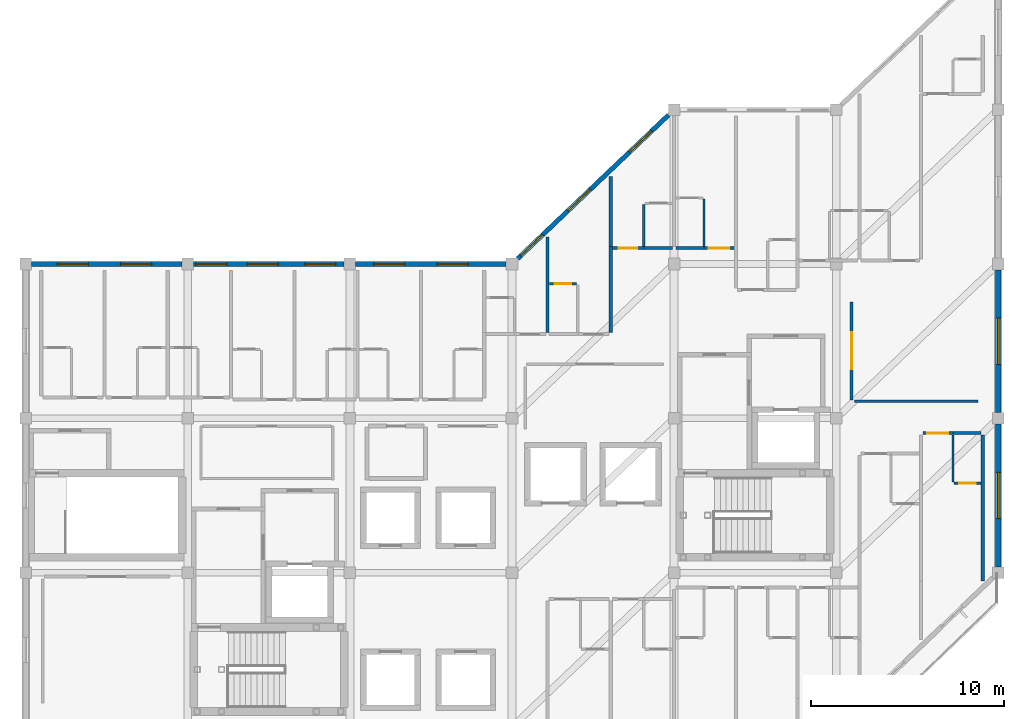
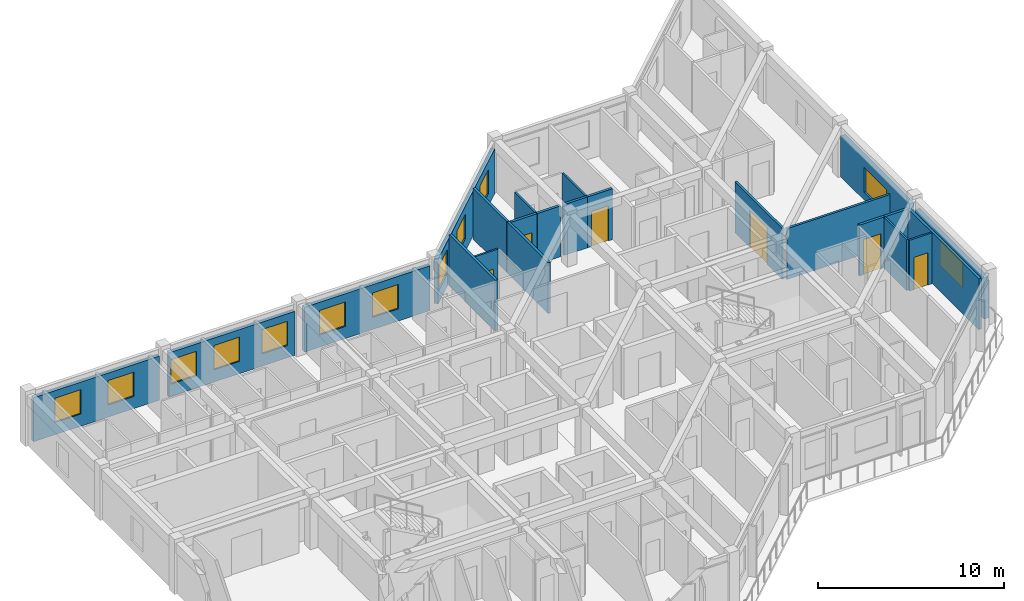
# One storey, part 10 of 14: 23 walls, 12 windows, 6 doors, 18 openings.
"""IFC4 building model written with IfcOpenShell, lengths in metres."""

import ifcopenshell
import ifcopenshell.guid

model = None  # the IFC model being written
_history = None  # IfcOwnerHistory: only IFC2X3 demands one
_inside = {}  # id of a spatial element -> (the spatial element, [elements in it])
_under = {}  # id of a project, library or spatial element -> (it, [spatial elements below it])
_declared = {}  # id of a project -> (the project, [libraries it declares])
_typed = {}  # id of a type object -> (the type object, [elements of that type])
_made_of = {}  # id of a material, layer set ... -> (it, [elements and type objects made of it])


def new_model(schema):
    """Start an empty IFC model of exactly this schema.

    Asked for "IFC4X3", IfcOpenShell would pick the latest addendum, in which some entities
    have other attributes; the version numbers below select the first issue.
    IFC2X3 requires an IfcOwnerHistory on every rooted entity: one is made here for all.
    """
    global model, _history
    if schema == "IFC4X3":
        model = ifcopenshell.file(schema_version=(4, 3, 0, 0))
    else:
        model = ifcopenshell.file(schema=schema)
    _inside.clear()
    _under.clear()
    _declared.clear()
    _typed.clear()
    _made_of.clear()
    _history = None
    if model.schema == "IFC2X3":
        org = make("IfcOrganization", Name="unknown")
        user = make(
            "IfcPersonAndOrganization",
            ThePerson=make("IfcPerson", FamilyName="unknown"),
            TheOrganization=org,
        )
        app = make(
            "IfcApplication",
            ApplicationDeveloper=org,
            Version="unknown",
            ApplicationFullName="unknown",
            ApplicationIdentifier="unknown",
        )
        _history = make(
            "IfcOwnerHistory",
            OwningUser=user,
            OwningApplication=app,
            ChangeAction="ADDED",
            CreationDate=0,
        )
    return model


def make(cls, **values):
    """One entity of the class cls with the attributes given. An attribute that is None is left unset."""
    return model.create_entity(
        cls, **{name: value for name, value in values.items() if value is not None}
    )


def rooted(cls, **values):
    """An entity with a GlobalId (a new one), such as an element, a storey or a relation."""
    return make(cls, GlobalId=ifcopenshell.guid.new(), OwnerHistory=_history, **values)


def si_unit(unit_type, name, prefix=None):
    """IfcSIUnit, for example si_unit("LENGTHUNIT", "METRE", prefix="MILLI")."""
    return make("IfcSIUnit", UnitType=unit_type, Prefix=prefix, Name=name)


def assignment(units):
    """IfcUnitAssignment: the units of a project."""
    return None if units is None else make("IfcUnitAssignment", Units=units)


def point(xyz):
    """IfcCartesianPoint."""
    return None if xyz is None else make("IfcCartesianPoint", Coordinates=xyz)


def direction(xyz):
    """IfcDirection."""
    return None if xyz is None else make("IfcDirection", DirectionRatios=xyz)


def frame(location, z_axis=None, x_axis=None):
    """IfcAxis2Placement3D, a coordinate frame: its origin and axes. An axis left out is left unset."""
    return make(
        "IfcAxis2Placement3D",
        Location=point(location),
        Axis=direction(z_axis),
        RefDirection=direction(x_axis),
    )


def frame_2d(location, x_axis=None):
    """IfcAxis2Placement2D, a coordinate frame in the plane: its origin and x axis."""
    return make(
        "IfcAxis2Placement2D", Location=point(location), RefDirection=direction(x_axis)
    )


def origin():
    """The frame at (0, 0, 0) with its axes left unset."""
    return frame((0.0, 0.0, 0.0))


def place(relative_to, where):
    """IfcLocalPlacement: puts the frame where relative to a parent placement (None: the world)."""
    return make(
        "IfcLocalPlacement", PlacementRelTo=relative_to, RelativePlacement=where
    )


def context(
    kind, dimensions, precision=None, world=None, true_north=None, identifier=None
):
    """IfcGeometricRepresentationContext, for example the 3D "Model" context."""
    return make(
        "IfcGeometricRepresentationContext",
        ContextIdentifier=identifier,
        ContextType=kind,
        CoordinateSpaceDimension=dimensions,
        Precision=precision,
        WorldCoordinateSystem=world,
        TrueNorth=true_north,
    )


def subcontext(parent, identifier, kind, view, scale=None):
    """IfcGeometricRepresentationSubContext, for example "Body" below "Model"."""
    return make(
        "IfcGeometricRepresentationSubContext",
        ContextIdentifier=identifier,
        ContextType=kind,
        ParentContext=parent,
        TargetScale=scale,
        TargetView=view,
    )


def project(units=None, contexts=None):
    """IfcProject with its units and contexts."""
    return rooted(
        "IfcProject",
        Name="project",
        RepresentationContexts=contexts,
        UnitsInContext=assignment(units),
    )


def spatial(cls, under=None, at=None, **own):
    """A site, building, storey or space (cls), placed at a placement, below another one or the project."""
    s = rooted(cls, ObjectPlacement=at, **own)
    if under is not None:
        _under.setdefault(under.id(), (under, []))[1].append(s)
    return s


def profile(cls, at=None, kind="AREA", **sizes):
    """A parametric profile (cls). Its sizes go by their IFC names, for example OverallWidth=200.0."""
    return make(cls, ProfileType=kind, Position=at, **sizes)


def rectangle(**sizes):
    """IfcRectangleProfileDef."""
    return profile("IfcRectangleProfileDef", **sizes)


def extrude(swept, where, along, depth):
    """IfcExtrudedAreaSolid: the profile swept, set in the frame where, extruded along a direction by depth."""
    return make(
        "IfcExtrudedAreaSolid",
        SweptArea=swept,
        Position=where,
        ExtrudedDirection=direction(along),
        Depth=depth,
    )


def shape(context_of_items, identifier, shape_type, items):
    """IfcShapeRepresentation: the items that make up one representation, for example the "Body"."""
    return make(
        "IfcShapeRepresentation",
        ContextOfItems=context_of_items,
        RepresentationIdentifier=identifier,
        RepresentationType=shape_type,
        Items=items,
    )


def material(Name=None, Category=None):
    """IfcMaterial."""
    return make("IfcMaterial", Name=Name, Category=Category)


def layer(
    of_material, thickness, ventilated=None, Name=None, Category=None, Priority=None
):
    """IfcMaterialLayer: one layer of a wall or slab, of a material (None: an air gap)."""
    return make(
        "IfcMaterialLayer",
        Material=of_material,
        LayerThickness=thickness,
        IsVentilated=ventilated,
        Name=Name,
        Category=Category,
        Priority=Priority,
    )


def layer_set(layers, Name=None):
    """IfcMaterialLayerSet."""
    return make("IfcMaterialLayerSet", MaterialLayers=layers, LayerSetName=Name)


def made_of(thing, what):
    """Note that an element or type object is made of a material, layer set ...; save() writes the relation."""
    if what is not None:
        _made_of.setdefault(what.id(), (what, []))[1].append(thing)
    return thing


def type_object(cls, material=None, **own):
    """A type object (cls), such as IfcWallType, which elements share."""
    return made_of(rooted(cls, **own), material)


def element(
    cls,
    number,
    at=None,
    inside=None,
    cuts=None,
    type_object=None,
    material=None,
    context=None,
    identifier="Body",
    shape_type=None,
    held_by="IfcProductDefinitionShape",
    body=None,
    shapes=None,
    **own,
):
    """One element of the class cls, such as IfcWall. Its Tag is "e" and its number.

    at: its placement. inside: the storey or other place that contains it. cuts: it is an
    opening in that element (IfcRelVoidsElement). A single representation is given by context,
    identifier, shape_type and body (its items); several are given by shapes. held_by: the class
    of the entity that holds the representations. save() writes the other relations.
    """
    e = rooted(cls, Tag="e%d" % number, ObjectPlacement=at, **own)
    if body is not None:
        shapes = [shape(context, identifier, shape_type, body)]
    if shapes is not None:
        e.Representation = make(held_by, Representations=shapes)
    if inside is not None:
        _inside.setdefault(inside.id(), (inside, []))[1].append(e)
    if cuts is not None:
        rooted(
            "IfcRelVoidsElement", RelatingBuildingElement=cuts, RelatedOpeningElement=e
        )
    if type_object is not None:
        _typed.setdefault(type_object.id(), (type_object, []))[1].append(e)
    return made_of(e, material)


def fill(opening, filler):
    """IfcRelFillsElement: the door or window that sits in an opening."""
    return rooted(
        "IfcRelFillsElement",
        RelatingOpeningElement=opening,
        RelatedBuildingElement=filler,
    )


def aggregate(whole, parts):
    """IfcRelAggregates: a whole, such as a stair, and the parts it consists of."""
    return rooted("IfcRelAggregates", RelatingObject=whole, RelatedObjects=parts)


def save(model, path):
    """Write the relations noted so far, then the file.

    IfcRelAggregates (storeys below a building ...), IfcRelContainedInSpatialStructure (elements
    in a storey), IfcRelDefinesByType, IfcRelAssociatesMaterial and IfcRelDeclares: one each for
    every whole, place, type object, material and project.
    """
    for whole, parts in _under.values():
        aggregate(whole, parts)
    for where, things in _inside.values():
        rooted(
            "IfcRelContainedInSpatialStructure",
            RelatedElements=things,
            RelatingStructure=where,
        )
    for kind, things in _typed.values():
        rooted("IfcRelDefinesByType", RelatedObjects=things, RelatingType=kind)
    for what, things in _made_of.values():
        rooted("IfcRelAssociatesMaterial", RelatedObjects=things, RelatingMaterial=what)
    for by, libraries in _declared.values():
        rooted("IfcRelDeclares", RelatingContext=by, RelatedDefinitions=libraries)
    model.write(path)


model = new_model("IFC4")

# Units and contexts
model_context = context("Model", 3, precision=1e-05, world=origin(), true_north=direction((0.0, 1.0)))
body_context = subcontext(model_context, "Body", "Model", "MODEL_VIEW")
ifc_project = project(units=[si_unit("LENGTHUNIT", "METRE"), si_unit("AREAUNIT", "SQUARE_METRE"), si_unit("VOLUMEUNIT", "CUBIC_METRE"), si_unit("PLANEANGLEUNIT", "RADIAN"), si_unit("MASSUNIT", "GRAM", prefix="KILO")], contexts=[model_context])

# Site, building, storey
site_placement = place(None, origin())
site = spatial("IfcSite", under=ifc_project, at=site_placement, CompositionType="ELEMENT")
building_placement = place(site_placement, origin())
building = spatial("IfcBuilding", under=site, at=building_placement, Name="Naruveol Harbour Congress Hotel", CompositionType="ELEMENT")
storey_placement = place(building_placement, frame((0.0, 0.0, 39.60009765625)))
storey = spatial("IfcBuildingStorey", under=building, at=storey_placement, Name="L09", CompositionType="ELEMENT", Elevation=39.60009765625)

# Wall, opening, door
ifc_material_1 = material(Name="Acoustic Double Stud Gypsum", Category="gypsum")
ifc_layer_1 = layer(ifc_material_1, 0.139892578125)
ifc_layer_set_1 = layer_set([ifc_layer_1], Name="Acoustic Double Stud Gypsum")
wall_type_1 = type_object("IfcWallType", Name="ACOUSTIC MEETING PARTITION WALL 140", PredefinedType="PARTITIONING", material=ifc_layer_set_1)
wall_1_placement = place(storey_placement, frame((160.39990234375, 24.9599609375, 0.0), z_axis=(0.0, 0.0, 1.0), x_axis=(0.0, 1.0, 0.0)))
wall_1 = element("IfcWall", 1, at=wall_1_placement, inside=storey, type_object=wall_type_1, Name="Garden Terrace Salon west entry wall PW-140", PredefinedType="PARTITIONING", context=body_context, shape_type="SweptSolid", body=[
    extrude(rectangle(XDim=5.080078125, YDim=0.139892578125, at=frame_2d((2.5400390625, 0.0))), origin(), (0.0, 0.0, 1.0), 3.3349609375),
])
opening_1_placement = place(wall_1_placement, frame((1.590087890625, 0.0, 0.0)))
opening_1 = element("IfcOpeningElement", 2, at=opening_1_placement, cuts=wall_1, Name="Opening ID-LG-129", PredefinedType="OPENING", context=body_context, shape_type="SweptSolid", body=[
    extrude(rectangle(XDim=1.89990234375, YDim=2.39990234375, at=frame_2d((0.949951171875, 1.199951171875))), frame((0.0, 0.079833984375, 0.0), z_axis=(0.0, -1.0, 0.0), x_axis=(1.0, 0.0, 0.0)), (0.0, 0.0, 1.0), 0.159912109375),
])
ifc_material_2 = material(Name="Timber & Steel Acoustic Leaf", Category="steel")
door_type_1 = type_object("IfcDoorType", Name="RESTAURANT AND LOUNGE GLAZED DOOR 1900X2400", OperationType="DOUBLE_DOOR_SINGLE_SWING", PredefinedType="DOOR", material=ifc_material_2)
door_1_placement = place(opening_1_placement, origin())
door_1 = element("IfcDoor", 3, at=door_1_placement, inside=storey, type_object=door_type_1, Name="Garden Terrace Salon Entrance Door", OperationType="DOUBLE_DOOR_SINGLE_SWING", OverallHeight=2.39990234375, OverallWidth=1.89990234375, PredefinedType="DOOR", context=body_context, shape_type="SweptSolid", body=[
    extrude(rectangle(XDim=1.89990234375, YDim=2.39990234375, at=frame_2d((0.949951171875, 1.199951171875))), frame((0.0, 0.02490234375, 0.0), z_axis=(0.0, -1.0, 0.0), x_axis=(1.0, 0.0, 0.0)), (0.0, 0.0, 1.0), 0.050048828125),
])
fill(opening_1, door_1)

# Wall
wall_2_placement = place(storey_placement, frame((160.5400390625, 24.8798828125, 0.0), z_axis=(0.0, 0.0, 1.0), x_axis=(1.0, 0.0, 0.0)))
element("IfcWall", 4, at=wall_2_placement, inside=storey, type_object=wall_type_1, Name="Garden Terrace Salon south partition PW-140", PredefinedType="PARTITIONING", context=body_context, shape_type="SweptSolid", body=[
    extrude(rectangle(XDim=6.409912109375, YDim=0.139892578125, at=frame_2d((3.205078125, 0.0))), origin(), (0.0, 0.0, 1.0), 3.3349609375),
])

# Wall, opening, window
ifc_material_3 = material(Name="Precast concrete C40/50", Category="concrete")
ifc_layer_2 = layer(ifc_material_3, 0.280029296875)
ifc_layer_set_2 = layer_set([ifc_layer_2], Name="Precast concrete C40/50")
wall_type_2 = type_object("IfcWallType", Name="ARCHITECTURAL PRECAST FACADE WALL 280", PredefinedType="SOLIDWALL", material=ifc_layer_set_2)
wall_3_placement = place(storey_placement, frame((168.0, 31.699951171875, 0.0), z_axis=(0.0, 0.0, 1.0), x_axis=(0.0, -1.0, 0.0)))
wall_3 = element("IfcWall", 5, at=wall_3_placement, inside=storey, type_object=wall_type_2, Name="Hotel east gable wall L09 EW-280", PredefinedType="SOLIDWALL", context=body_context, shape_type="SweptSolid", body=[
    extrude(rectangle(XDim=7.39990234375, YDim=0.280029296875, at=frame_2d((3.699951171875, 0.0))), origin(), (0.0, 0.0, 1.0), 2.699951171875),
])
opening_2_placement = place(wall_3_placement, frame((2.5, 0.0, 0.5)))
opening_2 = element("IfcOpeningElement", 6, at=opening_2_placement, cuts=wall_3, Name="Opening W-07", PredefinedType="OPENING", context=body_context, shape_type="SweptSolid", body=[
    extrude(rectangle(XDim=2.39990234375, YDim=1.64990234375, at=frame_2d((1.199951171875, 0.824951171875))), frame((0.0, 0.14990234375, 0.0), z_axis=(0.0, -1.0, 0.0), x_axis=(1.0, 0.0, 0.0)), (0.0, 0.0, 1.0), 0.300048828125),
])
ifc_material_4 = material(Name="Low-E Triple Glazing in Thermal Aluminium", Category="aluminium")
window_type_1 = type_object("IfcWindowType", Name="CORNER SUITE WINDOW 2400X1650", PartitioningType="DOUBLE_PANEL_VERTICAL", PredefinedType="WINDOW", material=ifc_material_4)
window_1_placement = place(opening_2_placement, origin())
window_1 = element("IfcWindow", 7, at=window_1_placement, inside=storey, type_object=window_type_1, Name="Window W-07 #473", OverallHeight=1.64990234375, OverallWidth=2.39990234375, PartitioningType="DOUBLE_PANEL_VERTICAL", PredefinedType="WINDOW", context=body_context, shape_type="SweptSolid", body=[
    extrude(rectangle(XDim=2.39990234375, YDim=1.64990234375, at=frame_2d((1.199951171875, 0.824951171875))), frame((0.0, 0.030029296875, 0.0), z_axis=(0.0, -1.0, 0.0), x_axis=(1.0, 0.0, 0.0)), (0.0, 0.0, 1.0), 0.06005859375),
])
fill(opening_2, window_1)

wall_4_placement = place(storey_placement, frame((168.0, 23.699951171875, 0.0), z_axis=(0.0, 0.0, 1.0), x_axis=(0.0, -1.0, 0.0)))
wall_4 = element("IfcWall", 8, at=wall_4_placement, inside=storey, type_object=wall_type_2, Name="Hotel east gable wall L09 EW-280", PredefinedType="SOLIDWALL", context=body_context, shape_type="SweptSolid", body=[
    extrude(rectangle(XDim=7.39990234375, YDim=0.280029296875, at=frame_2d((3.699951171875, 0.0))), origin(), (0.0, 0.0, 1.0), 2.699951171875),
])
opening_3_placement = place(wall_4_placement, frame((2.5, 0.0, 0.5)))
opening_3 = element("IfcOpeningElement", 9, at=opening_3_placement, cuts=wall_4, Name="Opening W-07", PredefinedType="OPENING", context=body_context, shape_type="SweptSolid", body=[
    extrude(rectangle(XDim=2.39990234375, YDim=1.64990234375, at=frame_2d((1.199951171875, 0.824951171875))), frame((0.0, 0.14990234375, 0.0), z_axis=(0.0, -1.0, 0.0), x_axis=(1.0, 0.0, 0.0)), (0.0, 0.0, 1.0), 0.300048828125),
])
window_2_placement = place(opening_3_placement, origin())
window_2 = element("IfcWindow", 10, at=window_2_placement, inside=storey, type_object=window_type_1, Name="Window W-07 #474", OverallHeight=1.64990234375, OverallWidth=2.39990234375, PartitioningType="DOUBLE_PANEL_VERTICAL", PredefinedType="WINDOW", context=body_context, shape_type="SweptSolid", body=[
    extrude(rectangle(XDim=2.39990234375, YDim=1.64990234375, at=frame_2d((1.199951171875, 0.824951171875))), frame((0.0, 0.030029296875, 0.0), z_axis=(0.0, -1.0, 0.0), x_axis=(1.0, 0.0, 0.0)), (0.0, 0.0, 1.0), 0.06005859375),
])
fill(opening_3, window_2)

# Wall, opening, door
ifc_material_5 = material(Name="Moisture-Resistant Gypsum Partition", Category="gypsum")
ifc_layer_3 = layer(ifc_material_5, 0.114990234375)
ifc_layer_set_3 = layer_set([ifc_layer_3], Name="Moisture-Resistant Gypsum Partition")
wall_type_3 = type_object("IfcWallType", Name="BATHROOM MOISTURE PARTITION WALL 115", PredefinedType="PARTITIONING", material=ifc_layer_set_3)
wall_5_placement = place(storey_placement, frame((144.739990234375, 30.969970703125, 0.0), z_axis=(0.0, 0.0, 1.0), x_axis=(1.0, 0.0, 0.0)))
wall_5 = element("IfcWall", 11, at=wall_5_placement, inside=storey, type_object=wall_type_3, Name="Bathroom north wall 1074 PW-115", PredefinedType="PARTITIONING", context=body_context, shape_type="SweptSolid", body=[
    extrude(rectangle(XDim=1.409912109375, YDim=0.114990234375, at=frame_2d((0.705078125, 0.0))), origin(), (0.0, 0.0, 1.0), 3.3349609375),
])
opening_4_placement = place(wall_5_placement, frame((0.27490234375, 0.0, 0.0)))
opening_4 = element("IfcOpeningElement", 12, at=opening_4_placement, cuts=wall_5, Name="Opening BD-RM1074", PredefinedType="OPENING", context=body_context, shape_type="SweptSolid", body=[
    extrude(rectangle(XDim=0.860107421875, YDim=2.1201171875, at=frame_2d((0.43017578125, 1.06005859375))), frame((0.0, 0.0673828125, 0.0), z_axis=(0.0, -1.0, 0.0), x_axis=(1.0, 0.0, 0.0)), (0.0, 0.0, 1.0), 0.135009765625),
])
ifc_material_6 = material(Name="Timber & Steel Acoustic Leaf", Category="steel")
door_type_2 = type_object("IfcDoorType", Name="GUEST BATHROOM DOOR 860X2120", OperationType="NOTDEFINED", PredefinedType="DOOR", material=ifc_material_6)
door_2_placement = place(opening_4_placement, origin())
door_2 = element("IfcDoor", 13, at=door_2_placement, inside=storey, type_object=door_type_2, Name="Bathroom Door 1074", OperationType="SINGLE_SWING_RIGHT", OverallHeight=2.1201171875, OverallWidth=0.860107421875, PredefinedType="DOOR", context=body_context, shape_type="SweptSolid", body=[
    extrude(rectangle(XDim=0.860107421875, YDim=2.1201171875, at=frame_2d((0.43017578125, 1.06005859375))), frame((0.0, 0.02490234375, 0.0), z_axis=(0.0, -1.0, 0.0), x_axis=(1.0, 0.0, 0.0)), (0.0, 0.0, 1.0), 0.050048828125),
])
fill(opening_4, door_2)

# Walls
wall_6_placement = place(storey_placement, frame((149.6298828125, 32.909912109375, 0.0), z_axis=(0.0, 0.0, 1.0), x_axis=(0.0, 1.0, 0.0)))
element("IfcWall", 14, at=wall_6_placement, inside=storey, type_object=wall_type_3, Name="Bathroom west wall 1075 PW-115", PredefinedType="PARTITIONING", context=body_context, shape_type="SweptSolid", body=[
    extrude(rectangle(XDim=2.170166015625, YDim=0.114990234375, at=frame_2d((1.0849609375, 0.0))), origin(), (0.0, 0.0, 1.0), 3.3349609375),
])
wall_7_placement = place(storey_placement, frame((152.75, 32.909912109375, 0.0), z_axis=(0.0, 0.0, 1.0), x_axis=(0.0, 1.0, 0.0)))
element("IfcWall", 15, at=wall_7_placement, inside=storey, type_object=wall_type_3, Name="Bathroom east wall 1076 PW-115", PredefinedType="PARTITIONING", context=body_context, shape_type="SweptSolid", body=[
    extrude(rectangle(XDim=2.4501953125, YDim=0.114990234375, at=frame_2d((1.22509765625, 0.0))), origin(), (0.0, 0.0, 1.0), 3.3349609375),
])
wall_8_placement = place(storey_placement, frame((165.64990234375, 20.68994140625, 0.0), z_axis=(0.0, 0.0, 1.0), x_axis=(0.0, 1.0, 0.0)))
element("IfcWall", 16, at=wall_8_placement, inside=storey, type_object=wall_type_3, Name="Bathroom west wall 1065 PW-115", PredefinedType="PARTITIONING", context=body_context, shape_type="SweptSolid", body=[
    extrude(rectangle(XDim=2.449951171875, YDim=0.114990234375, at=frame_2d((1.22509765625, 0.0))), origin(), (0.0, 0.0, 1.0), 3.3349609375),
])

# Wall, opening, door
wall_9_placement = place(storey_placement, frame((165.7099609375, 20.6298828125, 0.0), z_axis=(0.0, 0.0, 1.0), x_axis=(1.0, 0.0, 0.0)))
wall_9 = element("IfcWall", 17, at=wall_9_placement, inside=storey, type_object=wall_type_3, Name="Bathroom south wall 1065 PW-115", PredefinedType="PARTITIONING", context=body_context, shape_type="SweptSolid", body=[
    extrude(rectangle(XDim=1.39013671875, YDim=0.114990234375, at=frame_2d((0.695068359375, 0.0))), origin(), (0.0, 0.0, 1.0), 3.3349609375),
])
opening_5_placement = place(wall_9_placement, frame((0.264892578125, 0.0, 0.0)))
opening_5 = element("IfcOpeningElement", 18, at=opening_5_placement, cuts=wall_9, Name="Opening BD-RM1065", PredefinedType="OPENING", context=body_context, shape_type="SweptSolid", body=[
    extrude(rectangle(XDim=0.860107421875, YDim=2.1201171875, at=frame_2d((0.43017578125, 1.06005859375))), frame((0.0, 0.0673828125, 0.0), z_axis=(0.0, -1.0, 0.0), x_axis=(1.0, 0.0, 0.0)), (0.0, 0.0, 1.0), 0.135009765625),
])
door_3_placement = place(opening_5_placement, origin())
door_3 = element("IfcDoor", 19, at=door_3_placement, inside=storey, type_object=door_type_2, Name="Bathroom Door 1065", OperationType="SINGLE_SWING_RIGHT", OverallHeight=2.1201171875, OverallWidth=0.860107421875, PredefinedType="DOOR", context=body_context, shape_type="SweptSolid", body=[
    extrude(rectangle(XDim=0.860107421875, YDim=2.1201171875, at=frame_2d((0.43017578125, 1.06005859375))), frame((0.0, 0.02490234375, 0.0), z_axis=(0.0, -1.0, 0.0), x_axis=(1.0, 0.0, 0.0)), (0.0, 0.0, 1.0), 0.050048828125),
])
fill(opening_5, door_3)

# Walls
ifc_material_7 = material(Name="Autoclaved Aerated Concrete Block", Category="concrete")
ifc_layer_4 = layer(ifc_material_7, 0.159912109375)
ifc_layer_set_4 = layer_set([ifc_layer_4], Name="Autoclaved Aerated Concrete Block")
wall_type_4 = type_object("IfcWallType", Name="HOTEL PARTY AND CORRIDOR WALL 160 EI60", PredefinedType="PARTITIONING", material=ifc_layer_set_4)
wall_10_placement = place(storey_placement, frame((144.639892578125, 28.4599609375, 0.0), z_axis=(0.0, 0.0, 1.0), x_axis=(0.0, 1.0, 0.0)))
element("IfcWall", 20, at=wall_10_placement, inside=storey, type_object=wall_type_4, Name="Hotel party wall 1074 PW-160", PredefinedType="PARTITIONING", context=body_context, shape_type="SweptSolid", body=[
    extrude(rectangle(XDim=4.949951171875, YDim=0.159912109375, at=frame_2d((2.47509765625, 0.0))), origin(), (0.0, 0.0, 1.0), 3.3349609375),
])
wall_11_placement = place(storey_placement, frame((147.919921875, 28.4599609375, 0.0), z_axis=(0.0, 0.0, 1.0), x_axis=(0.0, 1.0, 0.0)))
element("IfcWall", 21, at=wall_11_placement, inside=storey, type_object=wall_type_4, Name="Hotel end party wall 1074 PW-160", PredefinedType="PARTITIONING", context=body_context, shape_type="SweptSolid", body=[
    extrude(rectangle(XDim=4.43994140625, YDim=0.159912109375, at=frame_2d((2.219970703125, 0.0))), origin(), (0.0, 0.0, 1.0), 3.3349609375),
])

# Wall, opening, door
wall_12_placement = place(storey_placement, frame((148.010009765625, 32.820068359375, 0.0), z_axis=(0.0, 0.0, 1.0), x_axis=(1.0, 0.0, 0.0)))
wall_12 = element("IfcWall", 22, at=wall_12_placement, inside=storey, type_object=wall_type_4, Name="Corridor entry wall 1075 PW-160", PredefinedType="PARTITIONING", context=body_context, shape_type="SweptSolid", body=[
    extrude(rectangle(XDim=1.619873046875, YDim=0.159912109375, at=frame_2d((0.81005859375, 0.0))), origin(), (0.0, 0.0, 1.0), 3.3349609375),
])
opening_6_placement = place(wall_12_placement, frame((0.330078125, 0.0, 0.0)))
opening_6 = element("IfcOpeningElement", 23, at=opening_6_placement, cuts=wall_12, Name="Opening FD-RM1075", PredefinedType="OPENING", context=body_context, shape_type="SweptSolid", body=[
    extrude(rectangle(XDim=0.9599609375, YDim=2.199951171875, at=frame_2d((0.47998046875, 1.10009765625))), frame((0.0, 0.08984375, 0.0), z_axis=(0.0, -1.0, 0.0), x_axis=(1.0, 0.0, 0.0)), (0.0, 0.0, 1.0), 0.179931640625),
])
ifc_material_8 = material(Name="Timber & Steel Acoustic Leaf", Category="steel")
door_type_3 = type_object("IfcDoorType", Name="GUEST ROOM ENTRANCE FIRE DOOR 960X2200", OperationType="NOTDEFINED", PredefinedType="DOOR", material=ifc_material_8)
door_4_placement = place(opening_6_placement, origin())
door_4 = element("IfcDoor", 24, at=door_4_placement, inside=storey, type_object=door_type_3, Name="Hotel Room Door 1075", OperationType="SINGLE_SWING_LEFT", OverallHeight=2.199951171875, OverallWidth=0.9599609375, PredefinedType="DOOR", context=body_context, shape_type="SweptSolid", body=[
    extrude(rectangle(XDim=0.9599609375, YDim=2.199951171875, at=frame_2d((0.47998046875, 1.10009765625))), frame((0.0, 0.02490234375, 0.0), z_axis=(0.0, -1.0, 0.0), x_axis=(1.0, 0.0, 0.0)), (0.0, 0.0, 1.0), 0.050048828125),
])
fill(opening_6, door_4)

# Walls
wall_13_placement = place(storey_placement, frame((149.639892578125, 32.820068359375, 0.0), z_axis=(0.0, 0.0, 1.0), x_axis=(1.0, 0.0, 0.0)))
element("IfcWall", 25, at=wall_13_placement, inside=storey, type_object=wall_type_4, Name="Corridor wall 1075B PW-160", PredefinedType="PARTITIONING", context=body_context, shape_type="SweptSolid", body=[
    extrude(rectangle(XDim=1.47021484375, YDim=0.159912109375, at=frame_2d((0.735107421875, 0.0))), origin(), (0.0, 0.0, 1.0), 3.3349609375),
])
wall_14_placement = place(storey_placement, frame((147.919921875, 32.909912109375, 0.0), z_axis=(0.0, 0.0, 1.0), x_axis=(0.0, 1.0, 0.0)))
element("IfcWall", 26, at=wall_14_placement, inside=storey, type_object=wall_type_4, Name="Hotel party wall 1075 PW-160", PredefinedType="PARTITIONING", context=body_context, shape_type="SweptSolid", body=[
    extrude(rectangle(XDim=3.630126953125, YDim=0.159912109375, at=frame_2d((1.81494140625, 0.0))), origin(), (0.0, 0.0, 1.0), 3.3349609375),
])
wall_15_placement = place(storey_placement, frame((151.2900390625, 32.820068359375, 0.0), z_axis=(0.0, 0.0, 1.0), x_axis=(1.0, 0.0, 0.0)))
element("IfcWall", 27, at=wall_15_placement, inside=storey, type_object=wall_type_4, Name="Corridor wall 1076B PW-160", PredefinedType="PARTITIONING", context=body_context, shape_type="SweptSolid", body=[
    extrude(rectangle(XDim=1.449951171875, YDim=0.159912109375, at=frame_2d((0.72509765625, 0.0))), origin(), (0.0, 0.0, 1.0), 3.3349609375),
])

# Wall, opening, door
wall_16_placement = place(storey_placement, frame((152.75, 32.820068359375, 0.0), z_axis=(0.0, 0.0, 1.0), x_axis=(1.0, 0.0, 0.0)))
wall_16 = element("IfcWall", 28, at=wall_16_placement, inside=storey, type_object=wall_type_4, Name="Corridor entry wall 1076 PW-160", PredefinedType="PARTITIONING", context=body_context, shape_type="SweptSolid", body=[
    extrude(rectangle(XDim=1.56005859375, YDim=0.159912109375, at=frame_2d((0.780029296875, 0.0))), origin(), (0.0, 0.0, 1.0), 3.3349609375),
])
opening_7_placement = place(wall_16_placement, frame((0.239990234375, 0.0, 0.0)))
opening_7 = element("IfcOpeningElement", 29, at=opening_7_placement, cuts=wall_16, Name="Opening FD-RM1076", PredefinedType="OPENING", context=body_context, shape_type="SweptSolid", body=[
    extrude(rectangle(XDim=1.080078125, YDim=2.300048828125, at=frame_2d((0.5400390625, 1.14990234375))), frame((0.0, 0.08984375, 0.0), z_axis=(0.0, -1.0, 0.0), x_axis=(1.0, 0.0, 0.0)), (0.0, 0.0, 1.0), 0.179931640625),
])
ifc_material_9 = material(Name="Timber & Steel Acoustic Leaf", Category="steel")
door_type_4 = type_object("IfcDoorType", Name="SUITE ENTRANCE FIRE DOOR 1080X2300", OperationType="NOTDEFINED", PredefinedType="DOOR", material=ifc_material_9)
door_5_placement = place(opening_7_placement, origin())
door_5 = element("IfcDoor", 30, at=door_5_placement, inside=storey, type_object=door_type_4, Name="Hotel Room Door 1076", OperationType="SINGLE_SWING_LEFT", OverallHeight=2.300048828125, OverallWidth=1.080078125, PredefinedType="DOOR", context=body_context, shape_type="SweptSolid", body=[
    extrude(rectangle(XDim=1.080078125, YDim=2.300048828125, at=frame_2d((0.5400390625, 1.14990234375))), frame((0.0, 0.02490234375, 0.0), z_axis=(0.0, -1.0, 0.0), x_axis=(1.0, 0.0, 0.0)), (0.0, 0.0, 1.0), 0.050048828125),
])
fill(opening_7, door_5)

wall_17_placement = place(storey_placement, frame((164.090087890625, 23.22998046875, 0.0), z_axis=(0.0, 0.0, 1.0), x_axis=(1.0, 0.0, 0.0)))
wall_17 = element("IfcWall", 31, at=wall_17_placement, inside=storey, type_object=wall_type_4, Name="Corridor entry wall 1065 PW-160", PredefinedType="PARTITIONING", context=body_context, shape_type="SweptSolid", body=[
    extrude(rectangle(XDim=1.559814453125, YDim=0.159912109375, at=frame_2d((0.77978515625, 0.0))), origin(), (0.0, 0.0, 1.0), 3.3349609375),
])
opening_8_placement = place(wall_17_placement, frame((0.239990234375, 0.0, 0.0)))
opening_8 = element("IfcOpeningElement", 32, at=opening_8_placement, cuts=wall_17, Name="Opening FD-RM1065", PredefinedType="OPENING", context=body_context, shape_type="SweptSolid", body=[
    extrude(rectangle(XDim=1.080078125, YDim=2.300048828125, at=frame_2d((0.5400390625, 1.14990234375))), frame((0.0, 0.08984375, 0.0), z_axis=(0.0, -1.0, 0.0), x_axis=(1.0, 0.0, 0.0)), (0.0, 0.0, 1.0), 0.179931640625),
])
door_6_placement = place(opening_8_placement, origin())
door_6 = element("IfcDoor", 33, at=door_6_placement, inside=storey, type_object=door_type_4, Name="Hotel Room Door 1065", OperationType="SINGLE_SWING_LEFT", OverallHeight=2.300048828125, OverallWidth=1.080078125, PredefinedType="DOOR", context=body_context, shape_type="SweptSolid", body=[
    extrude(rectangle(XDim=1.080078125, YDim=2.300048828125, at=frame_2d((0.5400390625, 1.14990234375))), frame((0.0, 0.02490234375, 0.0), z_axis=(0.0, -1.0, 0.0), x_axis=(1.0, 0.0, 0.0)), (0.0, 0.0, 1.0), 0.050048828125),
])
fill(opening_8, door_6)

# Walls
wall_18_placement = place(storey_placement, frame((165.659912109375, 23.22998046875, 0.0), z_axis=(0.0, 0.0, 1.0), x_axis=(1.0, 0.0, 0.0)))
element("IfcWall", 34, at=wall_18_placement, inside=storey, type_object=wall_type_4, Name="Corridor wall 1065B PW-160", PredefinedType="PARTITIONING", context=body_context, shape_type="SweptSolid", body=[
    extrude(rectangle(XDim=1.4501953125, YDim=0.159912109375, at=frame_2d((0.72509765625, 0.0))), origin(), (0.0, 0.0, 1.0), 3.3349609375),
])
wall_19_placement = place(storey_placement, frame((167.199951171875, 15.580078125, 0.0), z_axis=(0.0, 0.0, 1.0), x_axis=(0.0, 1.0, 0.0)))
element("IfcWall", 35, at=wall_19_placement, inside=storey, type_object=wall_type_4, Name="Hotel end party wall 1065 PW-160", PredefinedType="PARTITIONING", context=body_context, shape_type="SweptSolid", body=[
    extrude(rectangle(XDim=7.559814453125, YDim=0.159912109375, at=frame_2d((3.77978515625, 0.0))), origin(), (0.0, 0.0, 1.0), 3.3349609375),
])

# Wall, openings, windows
ifc_material_10 = material(Name="Concrete C40/50", Category="concrete")
ifc_layer_5 = layer(ifc_material_10, 0.239990234375)
ifc_layer_set_5 = layer_set([ifc_layer_5], Name="Concrete C40/50")
wall_type_5 = type_object("IfcWallType", Name="INSULATED HOTEL SPANDREL WALL 240", PredefinedType="SOLIDWALL", material=ifc_layer_set_5)
wall_20_placement = place(storey_placement, frame((117.89990234375, 32.0, 0.0), z_axis=(0.0, 0.0, 1.0), x_axis=(1.0, 0.0, 0.0)))
wall_20 = element("IfcWall", 36, at=wall_20_placement, inside=storey, type_object=wall_type_5, Name="Hotel north bay wall L09 EW-240", PredefinedType="SOLIDWALL", context=body_context, shape_type="SweptSolid", body=[
    extrude(rectangle(XDim=7.800048828125, YDim=0.239990234375, at=frame_2d((3.89990234375, 0.0))), origin(), (0.0, 0.0, 1.0), 2.889892578125),
])
opening_9_placement = place(wall_20_placement, frame((1.340087890625, 0.0, 0.800048828125)))
opening_9 = element("IfcOpeningElement", 37, at=opening_9_placement, cuts=wall_20, Name="Opening W-03", PredefinedType="OPENING", context=body_context, shape_type="SweptSolid", body=[
    extrude(rectangle(XDim=1.60009765625, YDim=1.60009765625, at=frame_2d((0.800048828125, 0.800048828125))), frame((0.0, 0.1298828125, 0.0), z_axis=(0.0, -1.0, 0.0), x_axis=(1.0, 0.0, 0.0)), (0.0, 0.0, 1.0), 0.260009765625),
])
opening_10_placement = place(wall_20_placement, frame((4.6201171875, 0.0, 0.800048828125)))
opening_10 = element("IfcOpeningElement", 38, at=opening_10_placement, cuts=wall_20, Name="Opening W-03", PredefinedType="OPENING", context=body_context, shape_type="SweptSolid", body=[
    extrude(rectangle(XDim=1.60009765625, YDim=1.60009765625, at=frame_2d((0.800048828125, 0.800048828125))), frame((0.0, 0.1298828125, 0.0), z_axis=(0.0, -1.0, 0.0), x_axis=(1.0, 0.0, 0.0)), (0.0, 0.0, 1.0), 0.260009765625),
])
ifc_material_11 = material(Name="Low-E Triple Glazing in Thermal Aluminium", Category="aluminium")
window_type_2 = type_object("IfcWindowType", Name="DELUXE GUEST WINDOW 1600X1600", PartitioningType="SINGLE_PANEL", PredefinedType="WINDOW", material=ifc_material_11)
window_3_placement = place(opening_9_placement, origin())
window_3 = element("IfcWindow", 39, at=window_3_placement, inside=storey, type_object=window_type_2, Name="Window W-03 #448", OverallHeight=1.60009765625, OverallWidth=1.60009765625, PartitioningType="SINGLE_PANEL", PredefinedType="WINDOW", context=body_context, shape_type="SweptSolid", body=[
    extrude(rectangle(XDim=1.60009765625, YDim=1.60009765625, at=frame_2d((0.800048828125, 0.800048828125))), frame((0.0, 0.030029296875, 0.0), z_axis=(0.0, -1.0, 0.0), x_axis=(1.0, 0.0, 0.0)), (0.0, 0.0, 1.0), 0.06005859375),
])
fill(opening_9, window_3)
window_4_placement = place(opening_10_placement, origin())
window_4 = element("IfcWindow", 40, at=window_4_placement, inside=storey, type_object=window_type_2, Name="Window W-03 #449", OverallHeight=1.60009765625, OverallWidth=1.60009765625, PartitioningType="SINGLE_PANEL", PredefinedType="WINDOW", context=body_context, shape_type="SweptSolid", body=[
    extrude(rectangle(XDim=1.60009765625, YDim=1.60009765625, at=frame_2d((0.800048828125, 0.800048828125))), frame((0.0, 0.030029296875, 0.0), z_axis=(0.0, -1.0, 0.0), x_axis=(1.0, 0.0, 0.0)), (0.0, 0.0, 1.0), 0.06005859375),
])
fill(opening_10, window_4)

wall_21_placement = place(storey_placement, frame((126.300048828125, 32.0, 0.0), z_axis=(0.0, 0.0, 1.0), x_axis=(1.0, 0.0, 0.0)))
wall_21 = element("IfcWall", 41, at=wall_21_placement, inside=storey, type_object=wall_type_5, Name="Hotel north bay wall L09 EW-240", PredefinedType="SOLIDWALL", context=body_context, shape_type="SweptSolid", body=[
    extrude(rectangle(XDim=7.800048828125, YDim=0.239990234375, at=frame_2d((3.89990234375, 0.0))), origin(), (0.0, 0.0, 1.0), 2.889892578125),
])
opening_11_placement = place(wall_21_placement, frame((0.1201171875, 0.0, 0.800048828125)))
opening_11 = element("IfcOpeningElement", 42, at=opening_11_placement, cuts=wall_21, Name="Opening W-03", PredefinedType="OPENING", context=body_context, shape_type="SweptSolid", body=[
    extrude(rectangle(XDim=1.60009765625, YDim=1.60009765625, at=frame_2d((0.800048828125, 0.800048828125))), frame((0.0, 0.1298828125, 0.0), z_axis=(0.0, -1.0, 0.0), x_axis=(1.0, 0.0, 0.0)), (0.0, 0.0, 1.0), 0.260009765625),
])
opening_12_placement = place(wall_21_placement, frame((2.780029296875, 0.0, 0.800048828125)))
opening_12 = element("IfcOpeningElement", 43, at=opening_12_placement, cuts=wall_21, Name="Opening W-03", PredefinedType="OPENING", context=body_context, shape_type="SweptSolid", body=[
    extrude(rectangle(XDim=1.60009765625, YDim=1.60009765625, at=frame_2d((0.800048828125, 0.800048828125))), frame((0.0, 0.1298828125, 0.0), z_axis=(0.0, -1.0, 0.0), x_axis=(1.0, 0.0, 0.0)), (0.0, 0.0, 1.0), 0.260009765625),
])
opening_13_placement = place(wall_21_placement, frame((5.760009765625, 0.0, 0.800048828125)))
opening_13 = element("IfcOpeningElement", 44, at=opening_13_placement, cuts=wall_21, Name="Opening W-03", PredefinedType="OPENING", context=body_context, shape_type="SweptSolid", body=[
    extrude(rectangle(XDim=1.60009765625, YDim=1.60009765625, at=frame_2d((0.800048828125, 0.800048828125))), frame((0.0, 0.1298828125, 0.0), z_axis=(0.0, -1.0, 0.0), x_axis=(1.0, 0.0, 0.0)), (0.0, 0.0, 1.0), 0.260009765625),
])
window_5_placement = place(opening_11_placement, origin())
window_5 = element("IfcWindow", 45, at=window_5_placement, inside=storey, type_object=window_type_2, Name="Window W-03 #452", OverallHeight=1.60009765625, OverallWidth=1.60009765625, PartitioningType="SINGLE_PANEL", PredefinedType="WINDOW", context=body_context, shape_type="SweptSolid", body=[
    extrude(rectangle(XDim=1.60009765625, YDim=1.60009765625, at=frame_2d((0.800048828125, 0.800048828125))), frame((0.0, 0.030029296875, 0.0), z_axis=(0.0, -1.0, 0.0), x_axis=(1.0, 0.0, 0.0)), (0.0, 0.0, 1.0), 0.06005859375),
])
fill(opening_11, window_5)
window_6_placement = place(opening_12_placement, origin())
window_6 = element("IfcWindow", 46, at=window_6_placement, inside=storey, type_object=window_type_2, Name="Window W-03 #453", OverallHeight=1.60009765625, OverallWidth=1.60009765625, PartitioningType="SINGLE_PANEL", PredefinedType="WINDOW", context=body_context, shape_type="SweptSolid", body=[
    extrude(rectangle(XDim=1.60009765625, YDim=1.60009765625, at=frame_2d((0.800048828125, 0.800048828125))), frame((0.0, 0.030029296875, 0.0), z_axis=(0.0, -1.0, 0.0), x_axis=(1.0, 0.0, 0.0)), (0.0, 0.0, 1.0), 0.06005859375),
])
fill(opening_12, window_6)
window_7_placement = place(opening_13_placement, origin())
window_7 = element("IfcWindow", 47, at=window_7_placement, inside=storey, type_object=window_type_2, Name="Window W-03 #454", OverallHeight=1.60009765625, OverallWidth=1.60009765625, PartitioningType="SINGLE_PANEL", PredefinedType="WINDOW", context=body_context, shape_type="SweptSolid", body=[
    extrude(rectangle(XDim=1.60009765625, YDim=1.60009765625, at=frame_2d((0.800048828125, 0.800048828125))), frame((0.0, 0.030029296875, 0.0), z_axis=(0.0, -1.0, 0.0), x_axis=(1.0, 0.0, 0.0)), (0.0, 0.0, 1.0), 0.06005859375),
])
fill(opening_13, window_7)

wall_22_placement = place(storey_placement, frame((134.699951171875, 32.0, 0.0), z_axis=(0.0, 0.0, 1.0), x_axis=(1.0, 0.0, 0.0)))
wall_22 = element("IfcWall", 48, at=wall_22_placement, inside=storey, type_object=wall_type_5, Name="Hotel north bay wall L09 EW-240", PredefinedType="SOLIDWALL", context=body_context, shape_type="SweptSolid", body=[
    extrude(rectangle(XDim=7.800048828125, YDim=0.239990234375, at=frame_2d((3.89990234375, 0.0))), origin(), (0.0, 0.0, 1.0), 2.93994140625),
])
opening_14_placement = place(wall_22_placement, frame((0.93994140625, 0.0, 0.800048828125)))
opening_14 = element("IfcOpeningElement", 49, at=opening_14_placement, cuts=wall_22, Name="Opening W-03", PredefinedType="OPENING", context=body_context, shape_type="SweptSolid", body=[
    extrude(rectangle(XDim=1.60009765625, YDim=1.60009765625, at=frame_2d((0.800048828125, 0.800048828125))), frame((0.0, 0.1298828125, 0.0), z_axis=(0.0, -1.0, 0.0), x_axis=(1.0, 0.0, 0.0)), (0.0, 0.0, 1.0), 0.260009765625),
])
opening_15_placement = place(wall_22_placement, frame((4.219970703125, 0.0, 0.800048828125)))
opening_15 = element("IfcOpeningElement", 50, at=opening_15_placement, cuts=wall_22, Name="Opening W-03", PredefinedType="OPENING", context=body_context, shape_type="SweptSolid", body=[
    extrude(rectangle(XDim=1.60009765625, YDim=1.60009765625, at=frame_2d((0.800048828125, 0.800048828125))), frame((0.0, 0.1298828125, 0.0), z_axis=(0.0, -1.0, 0.0), x_axis=(1.0, 0.0, 0.0)), (0.0, 0.0, 1.0), 0.260009765625),
])
window_8_placement = place(opening_14_placement, origin())
window_8 = element("IfcWindow", 51, at=window_8_placement, inside=storey, type_object=window_type_2, Name="Window W-03 #456", OverallHeight=1.60009765625, OverallWidth=1.60009765625, PartitioningType="SINGLE_PANEL", PredefinedType="WINDOW", context=body_context, shape_type="SweptSolid", body=[
    extrude(rectangle(XDim=1.60009765625, YDim=1.60009765625, at=frame_2d((0.800048828125, 0.800048828125))), frame((0.0, 0.030029296875, 0.0), z_axis=(0.0, -1.0, 0.0), x_axis=(1.0, 0.0, 0.0)), (0.0, 0.0, 1.0), 0.06005859375),
])
fill(opening_14, window_8)
window_9_placement = place(opening_15_placement, origin())
window_9 = element("IfcWindow", 52, at=window_9_placement, inside=storey, type_object=window_type_2, Name="Window W-03 #457", OverallHeight=1.60009765625, OverallWidth=1.60009765625, PartitioningType="SINGLE_PANEL", PredefinedType="WINDOW", context=body_context, shape_type="SweptSolid", body=[
    extrude(rectangle(XDim=1.60009765625, YDim=1.60009765625, at=frame_2d((0.800048828125, 0.800048828125))), frame((0.0, 0.030029296875, 0.0), z_axis=(0.0, -1.0, 0.0), x_axis=(1.0, 0.0, 0.0)), (0.0, 0.0, 1.0), 0.06005859375),
])
fill(opening_15, window_9)

wall_23_placement = place(storey_placement, frame((143.10009765625, 32.285888671875, 0.0), z_axis=(0.0, 0.0, 1.0), x_axis=(0.724145477467, 0.689647248573, 0.0)))
wall_23 = element("IfcWall", 53, at=wall_23_placement, inside=storey, type_object=wall_type_5, Name="Hotel north bay wall L09 EW-240", PredefinedType="SOLIDWALL", context=body_context, shape_type="SweptSolid", body=[
    extrude(rectangle(XDim=10.77099609375, YDim=0.239990234375, at=frame_2d((5.385498046875, 0.0))), origin(), (0.0, 0.0, 1.0), 2.93994140625),
])
opening_16_placement = place(wall_23_placement, frame((0.194091796875, 0.0, 0.800048828125)))
opening_16 = element("IfcOpeningElement", 54, at=opening_16_placement, cuts=wall_23, Name="Opening W-03", PredefinedType="OPENING", context=body_context, shape_type="SweptSolid", body=[
    extrude(rectangle(XDim=1.60009765625, YDim=1.60009765625, at=frame_2d((0.800048828125, 0.800048828125))), frame((0.0, 0.1298828125, 0.0), z_axis=(0.0, -1.0, 0.0), x_axis=(1.0, 0.0, 0.0)), (0.0, 0.0, 1.0), 0.260009765625),
])
opening_17_placement = place(wall_23_placement, frame((3.591064453125, 0.0, 0.800048828125)))
opening_17 = element("IfcOpeningElement", 55, at=opening_17_placement, cuts=wall_23, Name="Opening W-03", PredefinedType="OPENING", context=body_context, shape_type="SweptSolid", body=[
    extrude(rectangle(XDim=1.60009765625, YDim=1.60009765625, at=frame_2d((0.800048828125, 0.800048828125))), frame((0.0, 0.1298828125, 0.0), z_axis=(0.0, -1.0, 0.0), x_axis=(1.0, 0.0, 0.0)), (0.0, 0.0, 1.0), 0.260009765625),
])
opening_18_placement = place(wall_23_placement, frame((7.98291015625, 0.0, 0.800048828125)))
opening_18 = element("IfcOpeningElement", 56, at=opening_18_placement, cuts=wall_23, Name="Opening W-03", PredefinedType="OPENING", context=body_context, shape_type="SweptSolid", body=[
    extrude(rectangle(XDim=1.60009765625, YDim=1.60009765625, at=frame_2d((0.800048828125, 0.800048828125))), frame((0.0, 0.1298828125, 0.0), z_axis=(0.0, -1.0, 0.0), x_axis=(1.0, 0.0, 0.0)), (0.0, 0.0, 1.0), 0.260009765625),
])
window_10_placement = place(opening_16_placement, origin())
window_10 = element("IfcWindow", 57, at=window_10_placement, inside=storey, type_object=window_type_2, Name="Window W-03 #460", OverallHeight=1.60009765625, OverallWidth=1.60009765625, PartitioningType="SINGLE_PANEL", PredefinedType="WINDOW", context=body_context, shape_type="SweptSolid", body=[
    extrude(rectangle(XDim=1.60009765625, YDim=1.60009765625, at=frame_2d((0.800048828125, 0.800048828125))), frame((0.0, 0.030029296875, 0.0), z_axis=(0.0, -1.0, 0.0), x_axis=(1.0, 0.0, 0.0)), (0.0, 0.0, 1.0), 0.06005859375),
])
fill(opening_16, window_10)
window_11_placement = place(opening_17_placement, origin())
window_11 = element("IfcWindow", 58, at=window_11_placement, inside=storey, type_object=window_type_2, Name="Window W-03 #461", OverallHeight=1.60009765625, OverallWidth=1.60009765625, PartitioningType="SINGLE_PANEL", PredefinedType="WINDOW", context=body_context, shape_type="SweptSolid", body=[
    extrude(rectangle(XDim=1.60009765625, YDim=1.60009765625, at=frame_2d((0.800048828125, 0.800048828125))), frame((0.0, 0.030029296875, 0.0), z_axis=(0.0, -1.0, 0.0), x_axis=(1.0, 0.0, 0.0)), (0.0, 0.0, 1.0), 0.06005859375),
])
fill(opening_17, window_11)
window_12_placement = place(opening_18_placement, origin())
window_12 = element("IfcWindow", 59, at=window_12_placement, inside=storey, type_object=window_type_2, Name="Window W-03 #462", OverallHeight=1.60009765625, OverallWidth=1.60009765625, PartitioningType="SINGLE_PANEL", PredefinedType="WINDOW", context=body_context, shape_type="SweptSolid", body=[
    extrude(rectangle(XDim=1.60009765625, YDim=1.60009765625, at=frame_2d((0.800048828125, 0.800048828125))), frame((0.0, 0.030029296875, 0.0), z_axis=(0.0, -1.0, 0.0), x_axis=(1.0, 0.0, 0.0)), (0.0, 0.0, 1.0), 0.06005859375),
])
fill(opening_18, window_12)

save(model, "model.ifc")
